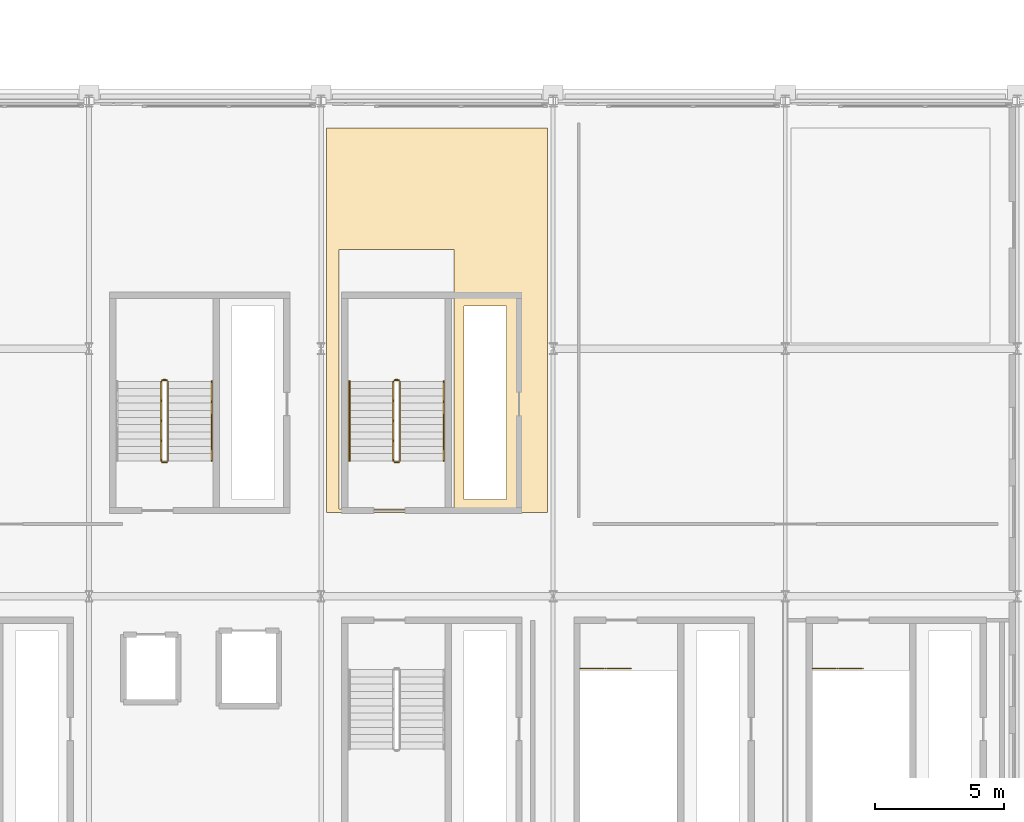
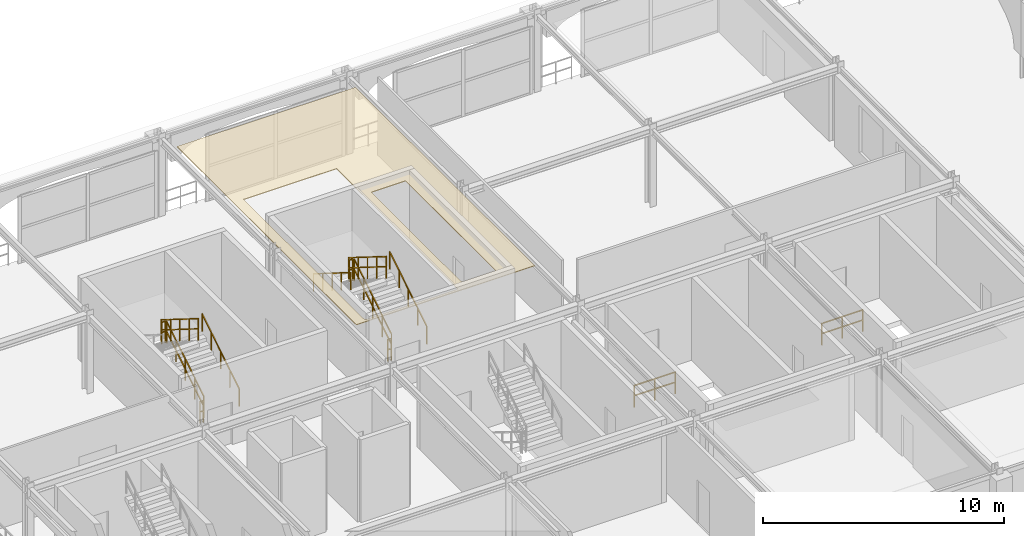
# One storey, part 76 of 81: 13 railings, 1 covering.
"""IFC4 building model written with IfcOpenShell, lengths in metres."""

from ifc_helpers import new_model, si_unit, direction, frame, origin, origin_2d, place, context, subcontext, project, spatial, polyline, rectangle, outline, extrude, material, layer, layer_set, type_object, element, save


model = new_model("IFC4")

# Units and contexts
model_context = context("Model", 3, precision=1e-05, world=origin(), true_north=direction((0.0, 1.0)))
body_context = subcontext(model_context, "Body", "Model", "MODEL_VIEW")
ifc_project = project(units=[si_unit("LENGTHUNIT", "METRE"), si_unit("AREAUNIT", "SQUARE_METRE"), si_unit("VOLUMEUNIT", "CUBIC_METRE"), si_unit("PLANEANGLEUNIT", "RADIAN"), si_unit("MASSUNIT", "GRAM", prefix="KILO")], contexts=[model_context])

# Site, building, storey
site_placement = place(None, origin())
site = spatial("IfcSite", under=ifc_project, at=site_placement, CompositionType="ELEMENT")
building_placement = place(site_placement, origin())
building = spatial("IfcBuilding", under=site, at=building_placement, Name="Myrtia Square Station", CompositionType="ELEMENT")
storey_placement = place(building_placement, frame((0.0, 0.0, 10.800048828125)))
storey = spatial("IfcBuildingStorey", under=building, at=storey_placement, Name="L02", CompositionType="ELEMENT", Elevation=10.800048828125)

# Covering
ifc_material_1 = material(Name="Gypsum plasterboard")
ifc_layer = layer(ifc_material_1, 0.034912109375, Name="Gypsum plasterboard")
ifc_layer_set = layer_set([ifc_layer], Name="Gypsum plasterboard")
covering_type = type_object("IfcCoveringType", Name="COV-CEIL-ACOUSTIC", PredefinedType="CEILING", material=ifc_layer_set)
covering_placement = place(storey_placement, frame((0.0, 0.0, 3.925048828125)))
element("IfcCovering", 1, at=covering_placement, inside=storey, type_object=covering_type, Name="Acoustic coffer ceiling L02-06", PredefinedType="CEILING", context=body_context, shape_type="SweptSolid", body=[
    extrude(outline(polyline([(143.780029296875, 37.35009765625), (143.780029296875, 28.85009765625), (143.781005859375, 28.828369140625), (143.7841796875, 28.80712890625), (143.785888671875, 28.800048828125), (143.7841796875, 28.79296875), (143.781005859375, 28.771484375), (143.780029296875, 28.75), (143.780029296875, 22.449951171875), (135.219970703125, 22.449951171875), (135.219970703125, 28.75), (135.218994140625, 28.771484375), (135.2158203125, 28.79296875), (135.214111328125, 28.800048828125), (135.2158203125, 28.80712890625), (135.218994140625, 28.828369140625), (135.219970703125, 28.85009765625), (135.219970703125, 37.35009765625), (143.780029296875, 37.35009765625)]), holes=[polyline([(142.199951171875, 22.949951171875), (142.199951171875, 30.449951171875), (140.550048828125, 30.449951171875), (140.550048828125, 22.949951171875), (142.199951171875, 22.949951171875)]), polyline([(135.699951171875, 32.64990234375), (135.699951171875, 22.580078125), (140.159912109375, 22.580078125), (140.159912109375, 32.64990234375), (135.699951171875, 32.64990234375)])]), origin(), (0.0, 0.0, 1.0), 0.034912109375),
])

# Railings
ifc_material_2 = material(Name="Dark bronze anodised aluminium", Category="aluminium")
railing_type_1 = type_object("IfcRailingType", Name="RL-HANDRAIL-900", PredefinedType="HANDRAIL", material=ifc_material_2)
railing_1_placement = place(storey_placement, frame((139.760009765625, 24.449951171875, 0.175048828125)))
element("IfcRailing", 2, at=railing_1_placement, inside=storey, type_object=railing_type_1, Name="L02 ST09 stair handrail 1", PredefinedType="HANDRAIL", context=body_context, shape_type="SweptSolid", body=[
    extrude(rectangle(XDim=0.048095703125, YDim=0.048095703125, at=origin_2d()), frame((0.0, 0.029296875, 0.894287109375), z_axis=(0.0, 0.848028513186, 0.529950602248), x_axis=(-1.0, 0.0, 0.0)), (0.0, 0.0, 1.0), 0.838623046875),
    extrude(rectangle(XDim=0.048095703125, YDim=0.048095703125, at=origin_2d()), frame((0.0, 0.79931640625, 1.37548828125), z_axis=(0.0, 0.848028513186, 0.529950602248), x_axis=(-1.0, 0.0, 0.0)), (0.0, 0.0, 1.0), 0.838623046875),
    extrude(rectangle(XDim=0.048095703125, YDim=0.048095703125, at=origin_2d()), frame((0.0, 1.5693359375, 1.856689453125), z_axis=(0.0, 0.848028513186, 0.529950602248), x_axis=(-1.0, 0.0, 0.0)), (0.0, 0.0, 1.0), 0.838623046875),
    extrude(rectangle(XDim=0.048095703125, YDim=0.048095703125, at=origin_2d()), frame((0.0, 2.33935546875, 2.337890625), z_axis=(0.0, 0.848028513186, 0.529950602248), x_axis=(-1.0, 0.0, 0.0)), (0.0, 0.0, 1.0), 0.838623046875),
    extrude(rectangle(XDim=0.0439453125, YDim=0.0439453125, at=origin_2d()), origin(), (0.0, 0.0, 1.0), 0.89990234375),
    extrude(rectangle(XDim=0.0439453125, YDim=0.0439453125, at=origin_2d()), frame((0.0, 0.77001953125, 0.481201171875)), (0.0, 0.0, 1.0), 0.89990234375),
    extrude(rectangle(XDim=0.0439453125, YDim=0.0439453125, at=origin_2d()), frame((0.0, 1.5400390625, 0.96240234375)), (0.0, 0.0, 1.0), 0.89990234375),
    extrude(rectangle(XDim=0.0439453125, YDim=0.0439453125, at=origin_2d()), frame((0.0, 2.31005859375, 1.443603515625)), (0.0, 0.0, 1.0), 0.89990234375),
    extrude(rectangle(XDim=0.0439453125, YDim=0.0439453125, at=origin_2d()), frame((0.0, 3.080078125, 1.9248046875)), (0.0, 0.0, 1.0), 0.89990234375),
])
railing_2_placement = place(storey_placement, frame((136.10009765625, 27.530029296875, 2.27490234375)))
element("IfcRailing", 3, at=railing_2_placement, inside=storey, type_object=railing_type_1, Name="L02 ST09 stair handrail 2", PredefinedType="HANDRAIL", context=body_context, shape_type="SweptSolid", body=[
    extrude(rectangle(XDim=0.048095703125, YDim=0.048095703125, at=origin_2d()), frame((0.0, -0.029296875, 0.894287109375), z_axis=(0.0, -0.847998304005, 0.529998940003), x_axis=(1.0, 0.0, 0.0)), (0.0, 0.0, 1.0), 0.8388671875),
    extrude(rectangle(XDim=0.048095703125, YDim=0.048095703125, at=origin_2d()), frame((0.0, -0.79931640625, 1.37548828125), z_axis=(0.0, -0.847998304005, 0.529998940003), x_axis=(1.0, 0.0, 0.0)), (0.0, 0.0, 1.0), 0.8388671875),
    extrude(rectangle(XDim=0.048095703125, YDim=0.048095703125, at=origin_2d()), frame((0.0, -1.5693359375, 1.856689453125), z_axis=(0.0, -0.847998304005, 0.529998940003), x_axis=(1.0, 0.0, 0.0)), (0.0, 0.0, 1.0), 0.8388671875),
    extrude(rectangle(XDim=0.048095703125, YDim=0.048095703125, at=origin_2d()), frame((0.0, -2.33935546875, 2.337890625), z_axis=(0.0, -0.847998304005, 0.529998940003), x_axis=(1.0, 0.0, 0.0)), (0.0, 0.0, 1.0), 0.8388671875),
    extrude(rectangle(XDim=0.0439453125, YDim=0.0439453125, at=origin_2d()), origin(), (0.0, 0.0, 1.0), 0.89990234375),
    extrude(rectangle(XDim=0.0439453125, YDim=0.0439453125, at=origin_2d()), frame((0.0, -0.77001953125, 0.481201171875)), (0.0, 0.0, 1.0), 0.89990234375),
    extrude(rectangle(XDim=0.0439453125, YDim=0.0439453125, at=origin_2d()), frame((0.0, -1.5400390625, 0.96240234375)), (0.0, 0.0, 1.0), 0.89990234375),
    extrude(rectangle(XDim=0.0439453125, YDim=0.0439453125, at=origin_2d()), frame((0.0, -2.31005859375, 1.44384765625)), (0.0, 0.0, 1.0), 0.89990234375),
    extrude(rectangle(XDim=0.0439453125, YDim=0.0439453125, at=origin_2d()), frame((0.0, -3.080078125, 1.925048828125)), (0.0, 0.0, 1.0), 0.89990234375),
])
railing_3_placement = place(storey_placement, frame((130.760009765625, 24.449951171875, 0.175048828125)))
element("IfcRailing", 4, at=railing_3_placement, inside=storey, type_object=railing_type_1, Name="L02 ST10 stair handrail 1", PredefinedType="HANDRAIL", context=body_context, shape_type="SweptSolid", body=[
    extrude(rectangle(XDim=0.048095703125, YDim=0.048095703125, at=origin_2d()), frame((0.0, 0.029296875, 0.894287109375), z_axis=(0.0, 0.848028513186, 0.529950602248), x_axis=(-1.0, 0.0, 0.0)), (0.0, 0.0, 1.0), 0.838623046875),
    extrude(rectangle(XDim=0.048095703125, YDim=0.048095703125, at=origin_2d()), frame((0.0, 0.79931640625, 1.37548828125), z_axis=(0.0, 0.848028513186, 0.529950602248), x_axis=(-1.0, 0.0, 0.0)), (0.0, 0.0, 1.0), 0.838623046875),
    extrude(rectangle(XDim=0.048095703125, YDim=0.048095703125, at=origin_2d()), frame((0.0, 1.5693359375, 1.856689453125), z_axis=(0.0, 0.848028513186, 0.529950602248), x_axis=(-1.0, 0.0, 0.0)), (0.0, 0.0, 1.0), 0.838623046875),
    extrude(rectangle(XDim=0.048095703125, YDim=0.048095703125, at=origin_2d()), frame((0.0, 2.33935546875, 2.337890625), z_axis=(0.0, 0.848028513186, 0.529950602248), x_axis=(-1.0, 0.0, 0.0)), (0.0, 0.0, 1.0), 0.838623046875),
    extrude(rectangle(XDim=0.0439453125, YDim=0.0439453125, at=origin_2d()), origin(), (0.0, 0.0, 1.0), 0.89990234375),
    extrude(rectangle(XDim=0.0439453125, YDim=0.0439453125, at=origin_2d()), frame((0.0, 0.77001953125, 0.481201171875)), (0.0, 0.0, 1.0), 0.89990234375),
    extrude(rectangle(XDim=0.0439453125, YDim=0.0439453125, at=origin_2d()), frame((0.0, 1.5400390625, 0.96240234375)), (0.0, 0.0, 1.0), 0.89990234375),
    extrude(rectangle(XDim=0.0439453125, YDim=0.0439453125, at=origin_2d()), frame((0.0, 2.31005859375, 1.443603515625)), (0.0, 0.0, 1.0), 0.89990234375),
    extrude(rectangle(XDim=0.0439453125, YDim=0.0439453125, at=origin_2d()), frame((0.0, 3.080078125, 1.9248046875)), (0.0, 0.0, 1.0), 0.89990234375),
])
ifc_material_3 = material(Name="Wrought iron", Category="steel")
railing_type_2 = type_object("IfcRailingType", Name="RL-INT-GUARD-1100", PredefinedType="BALUSTRADE", material=ifc_material_3)
railing_4_placement = place(storey_placement, frame((138.06005859375, 24.449951171875, 0.175048828125)))
element("IfcRailing", 5, at=railing_4_placement, inside=storey, type_object=railing_type_2, Name="L02 ST09 stair guard 1", PredefinedType="BALUSTRADE", context=body_context, shape_type="SweptSolid", body=[
    extrude(rectangle(XDim=0.048095703125, YDim=0.048095703125, at=origin_2d()), frame((0.0, 0.029296875, 1.114501953125), z_axis=(0.0, 0.848028513186, 0.529950602248), x_axis=(-1.0, 0.0, 0.0)), (0.0, 0.0, 1.0), 0.838623046875),
    extrude(rectangle(XDim=0.048095703125, YDim=0.048095703125, at=origin_2d()), frame((0.0, 0.029296875, 0.600830078125), z_axis=(0.0, 0.848028513186, 0.529950602248), x_axis=(-1.0, 0.0, 0.0)), (0.0, 0.0, 1.0), 0.838623046875),
    extrude(rectangle(XDim=0.048095703125, YDim=0.048095703125, at=origin_2d()), frame((0.0, 0.79931640625, 1.595703125), z_axis=(0.0, 0.848028513186, 0.529950602248), x_axis=(-1.0, 0.0, 0.0)), (0.0, 0.0, 1.0), 0.838623046875),
    extrude(rectangle(XDim=0.048095703125, YDim=0.048095703125, at=origin_2d()), frame((0.0, 0.79931640625, 1.08203125), z_axis=(0.0, 0.848028513186, 0.529950602248), x_axis=(-1.0, 0.0, 0.0)), (0.0, 0.0, 1.0), 0.838623046875),
    extrude(rectangle(XDim=0.048095703125, YDim=0.048095703125, at=origin_2d()), frame((0.0, 1.5693359375, 2.076904296875), z_axis=(0.0, 0.848028513186, 0.529950602248), x_axis=(-1.0, 0.0, 0.0)), (0.0, 0.0, 1.0), 0.838623046875),
    extrude(rectangle(XDim=0.048095703125, YDim=0.048095703125, at=origin_2d()), frame((0.0, 1.5693359375, 1.563232421875), z_axis=(0.0, 0.848028513186, 0.529950602248), x_axis=(-1.0, 0.0, 0.0)), (0.0, 0.0, 1.0), 0.838623046875),
    extrude(rectangle(XDim=0.048095703125, YDim=0.048095703125, at=origin_2d()), frame((0.0, 2.33935546875, 2.55810546875), z_axis=(0.0, 0.848028513186, 0.529950602248), x_axis=(-1.0, 0.0, 0.0)), (0.0, 0.0, 1.0), 0.838623046875),
    extrude(rectangle(XDim=0.048095703125, YDim=0.048095703125, at=origin_2d()), frame((0.0, 2.33935546875, 2.04443359375), z_axis=(0.0, 0.848028513186, 0.529950602248), x_axis=(-1.0, 0.0, 0.0)), (0.0, 0.0, 1.0), 0.838623046875),
    extrude(rectangle(XDim=0.0439453125, YDim=0.0439453125, at=origin_2d()), origin(), (0.0, 0.0, 1.0), 1.1201171875),
    extrude(rectangle(XDim=0.0439453125, YDim=0.0439453125, at=origin_2d()), frame((0.0, 0.77001953125, 0.481201171875)), (0.0, 0.0, 1.0), 1.1201171875),
    extrude(rectangle(XDim=0.0439453125, YDim=0.0439453125, at=origin_2d()), frame((0.0, 1.5400390625, 0.96240234375)), (0.0, 0.0, 1.0), 1.1201171875),
    extrude(rectangle(XDim=0.0439453125, YDim=0.0439453125, at=origin_2d()), frame((0.0, 2.31005859375, 1.443603515625)), (0.0, 0.0, 1.0), 1.1201171875),
    extrude(rectangle(XDim=0.0439453125, YDim=0.0439453125, at=origin_2d()), frame((0.0, 3.080078125, 1.9248046875)), (0.0, 0.0, 1.0), 1.1201171875),
])
railing_5_placement = place(storey_placement, frame((138.010009765625, 27.580078125, 2.099853515625)))
element("IfcRailing", 6, at=railing_5_placement, inside=storey, type_object=railing_type_2, Name="L02 ST09 stair guard 2", PredefinedType="BALUSTRADE", context=body_context, shape_type="SweptSolid", body=[
    extrude(rectangle(XDim=0.048095703125, YDim=0.048095703125, at=origin_2d()), frame((-0.03466796875, 0.0, 1.09619140625), z_axis=(-1.0, 0.0, 0.0), x_axis=(0.0, -1.0, 0.0)), (0.0, 0.0, 1.0), 0.090576171875),
    extrude(rectangle(XDim=0.048095703125, YDim=0.048095703125, at=origin_2d()), frame((-0.03466796875, 0.0, 0.58251953125), z_axis=(-1.0, 0.0, 0.0), x_axis=(0.0, -1.0, 0.0)), (0.0, 0.0, 1.0), 0.090576171875),
    extrude(rectangle(XDim=0.0439453125, YDim=0.0439453125, at=origin_2d()), origin(), (0.0, 0.0, 1.0), 1.1201171875),
    extrude(rectangle(XDim=0.0439453125, YDim=0.0439453125, at=origin_2d()), frame((-0.159912109375, 0.0, 0.0)), (0.0, 0.0, 1.0), 1.1201171875),
])
railing_6_placement = place(storey_placement, frame((137.800048828125, 27.530029296875, 2.27490234375)))
element("IfcRailing", 7, at=railing_6_placement, inside=storey, type_object=railing_type_2, Name="L02 ST09 stair guard 3", PredefinedType="BALUSTRADE", context=body_context, shape_type="SweptSolid", body=[
    extrude(rectangle(XDim=0.048095703125, YDim=0.048095703125, at=origin_2d()), frame((0.0, -0.029296875, 1.114501953125), z_axis=(0.0, -0.847998304005, 0.529998940003), x_axis=(1.0, 0.0, 0.0)), (0.0, 0.0, 1.0), 0.8388671875),
    extrude(rectangle(XDim=0.048095703125, YDim=0.048095703125, at=origin_2d()), frame((0.0, -0.029296875, 0.600830078125), z_axis=(0.0, -0.847998304005, 0.529998940003), x_axis=(1.0, 0.0, 0.0)), (0.0, 0.0, 1.0), 0.8388671875),
    extrude(rectangle(XDim=0.048095703125, YDim=0.048095703125, at=origin_2d()), frame((0.0, -0.79931640625, 1.595703125), z_axis=(0.0, -0.847998304005, 0.529998940003), x_axis=(1.0, 0.0, 0.0)), (0.0, 0.0, 1.0), 0.8388671875),
    extrude(rectangle(XDim=0.048095703125, YDim=0.048095703125, at=origin_2d()), frame((0.0, -0.79931640625, 1.08203125), z_axis=(0.0, -0.847998304005, 0.529998940003), x_axis=(1.0, 0.0, 0.0)), (0.0, 0.0, 1.0), 0.8388671875),
    extrude(rectangle(XDim=0.048095703125, YDim=0.048095703125, at=origin_2d()), frame((0.0, -1.5693359375, 2.076904296875), z_axis=(0.0, -0.847998304005, 0.529998940003), x_axis=(1.0, 0.0, 0.0)), (0.0, 0.0, 1.0), 0.8388671875),
    extrude(rectangle(XDim=0.048095703125, YDim=0.048095703125, at=origin_2d()), frame((0.0, -1.5693359375, 1.563232421875), z_axis=(0.0, -0.847998304005, 0.529998940003), x_axis=(1.0, 0.0, 0.0)), (0.0, 0.0, 1.0), 0.8388671875),
    extrude(rectangle(XDim=0.048095703125, YDim=0.048095703125, at=origin_2d()), frame((0.0, -2.33935546875, 2.55810546875), z_axis=(0.0, -0.847998304005, 0.529998940003), x_axis=(1.0, 0.0, 0.0)), (0.0, 0.0, 1.0), 0.8388671875),
    extrude(rectangle(XDim=0.048095703125, YDim=0.048095703125, at=origin_2d()), frame((0.0, -2.33935546875, 2.044677734375), z_axis=(0.0, -0.847998304005, 0.529998940003), x_axis=(1.0, 0.0, 0.0)), (0.0, 0.0, 1.0), 0.8388671875),
    extrude(rectangle(XDim=0.0439453125, YDim=0.0439453125, at=origin_2d()), origin(), (0.0, 0.0, 1.0), 1.1201171875),
    extrude(rectangle(XDim=0.0439453125, YDim=0.0439453125, at=origin_2d()), frame((0.0, -0.77001953125, 0.481201171875)), (0.0, 0.0, 1.0), 1.1201171875),
    extrude(rectangle(XDim=0.0439453125, YDim=0.0439453125, at=origin_2d()), frame((0.0, -1.5400390625, 0.96240234375)), (0.0, 0.0, 1.0), 1.1201171875),
    extrude(rectangle(XDim=0.0439453125, YDim=0.0439453125, at=origin_2d()), frame((0.0, -2.31005859375, 1.44384765625)), (0.0, 0.0, 1.0), 1.1201171875),
    extrude(rectangle(XDim=0.0439453125, YDim=0.0439453125, at=origin_2d()), frame((0.0, -3.080078125, 1.925048828125)), (0.0, 0.0, 1.0), 1.1201171875),
])
railing_7_placement = place(storey_placement, frame((138.010009765625, 24.39990234375, 0.0)))
element("IfcRailing", 8, at=railing_7_placement, inside=storey, type_object=railing_type_2, Name="L02 ST09 stair guard 4", PredefinedType="BALUSTRADE", context=body_context, shape_type="SweptSolid", body=[
    extrude(rectangle(XDim=0.048095703125, YDim=0.048095703125, at=origin_2d()), frame((-0.03466796875, 0.0, 1.09619140625), z_axis=(-1.0, 0.0, 0.0), x_axis=(0.0, -1.0, 0.0)), (0.0, 0.0, 1.0), 0.090576171875),
    extrude(rectangle(XDim=0.048095703125, YDim=0.048095703125, at=origin_2d()), frame((-0.03466796875, 0.0, 0.58251953125), z_axis=(-1.0, 0.0, 0.0), x_axis=(0.0, -1.0, 0.0)), (0.0, 0.0, 1.0), 0.090576171875),
    extrude(rectangle(XDim=0.0439453125, YDim=0.0439453125, at=origin_2d()), origin(), (0.0, 0.0, 1.0), 1.1201171875),
    extrude(rectangle(XDim=0.0439453125, YDim=0.0439453125, at=origin_2d()), frame((-0.159912109375, 0.0, 0.0)), (0.0, 0.0, 1.0), 1.1201171875),
])
railing_8_placement = place(storey_placement, frame((129.06005859375, 24.449951171875, 0.175048828125)))
element("IfcRailing", 9, at=railing_8_placement, inside=storey, type_object=railing_type_2, Name="L02 ST10 stair guard 1", PredefinedType="BALUSTRADE", context=body_context, shape_type="SweptSolid", body=[
    extrude(rectangle(XDim=0.048095703125, YDim=0.048095703125, at=origin_2d()), frame((0.0, 0.029296875, 1.114501953125), z_axis=(0.0, 0.848028513186, 0.529950602248), x_axis=(-1.0, 0.0, 0.0)), (0.0, 0.0, 1.0), 0.838623046875),
    extrude(rectangle(XDim=0.048095703125, YDim=0.048095703125, at=origin_2d()), frame((0.0, 0.029296875, 0.600830078125), z_axis=(0.0, 0.848028513186, 0.529950602248), x_axis=(-1.0, 0.0, 0.0)), (0.0, 0.0, 1.0), 0.838623046875),
    extrude(rectangle(XDim=0.048095703125, YDim=0.048095703125, at=origin_2d()), frame((0.0, 0.79931640625, 1.595703125), z_axis=(0.0, 0.848028513186, 0.529950602248), x_axis=(-1.0, 0.0, 0.0)), (0.0, 0.0, 1.0), 0.838623046875),
    extrude(rectangle(XDim=0.048095703125, YDim=0.048095703125, at=origin_2d()), frame((0.0, 0.79931640625, 1.08203125), z_axis=(0.0, 0.848028513186, 0.529950602248), x_axis=(-1.0, 0.0, 0.0)), (0.0, 0.0, 1.0), 0.838623046875),
    extrude(rectangle(XDim=0.048095703125, YDim=0.048095703125, at=origin_2d()), frame((0.0, 1.5693359375, 2.076904296875), z_axis=(0.0, 0.848028513186, 0.529950602248), x_axis=(-1.0, 0.0, 0.0)), (0.0, 0.0, 1.0), 0.838623046875),
    extrude(rectangle(XDim=0.048095703125, YDim=0.048095703125, at=origin_2d()), frame((0.0, 1.5693359375, 1.563232421875), z_axis=(0.0, 0.848028513186, 0.529950602248), x_axis=(-1.0, 0.0, 0.0)), (0.0, 0.0, 1.0), 0.838623046875),
    extrude(rectangle(XDim=0.048095703125, YDim=0.048095703125, at=origin_2d()), frame((0.0, 2.33935546875, 2.55810546875), z_axis=(0.0, 0.848028513186, 0.529950602248), x_axis=(-1.0, 0.0, 0.0)), (0.0, 0.0, 1.0), 0.838623046875),
    extrude(rectangle(XDim=0.048095703125, YDim=0.048095703125, at=origin_2d()), frame((0.0, 2.33935546875, 2.04443359375), z_axis=(0.0, 0.848028513186, 0.529950602248), x_axis=(-1.0, 0.0, 0.0)), (0.0, 0.0, 1.0), 0.838623046875),
    extrude(rectangle(XDim=0.0439453125, YDim=0.0439453125, at=origin_2d()), origin(), (0.0, 0.0, 1.0), 1.1201171875),
    extrude(rectangle(XDim=0.0439453125, YDim=0.0439453125, at=origin_2d()), frame((0.0, 0.77001953125, 0.481201171875)), (0.0, 0.0, 1.0), 1.1201171875),
    extrude(rectangle(XDim=0.0439453125, YDim=0.0439453125, at=origin_2d()), frame((0.0, 1.5400390625, 0.96240234375)), (0.0, 0.0, 1.0), 1.1201171875),
    extrude(rectangle(XDim=0.0439453125, YDim=0.0439453125, at=origin_2d()), frame((0.0, 2.31005859375, 1.443603515625)), (0.0, 0.0, 1.0), 1.1201171875),
    extrude(rectangle(XDim=0.0439453125, YDim=0.0439453125, at=origin_2d()), frame((0.0, 3.080078125, 1.9248046875)), (0.0, 0.0, 1.0), 1.1201171875),
])
railing_9_placement = place(storey_placement, frame((129.010009765625, 27.580078125, 2.099853515625)))
element("IfcRailing", 10, at=railing_9_placement, inside=storey, type_object=railing_type_2, Name="L02 ST10 stair guard 2", PredefinedType="BALUSTRADE", context=body_context, shape_type="SweptSolid", body=[
    extrude(rectangle(XDim=0.048095703125, YDim=0.048095703125, at=origin_2d()), frame((-0.03466796875, 0.0, 1.09619140625), z_axis=(-1.0, 0.0, 0.0), x_axis=(0.0, -1.0, 0.0)), (0.0, 0.0, 1.0), 0.090576171875),
    extrude(rectangle(XDim=0.048095703125, YDim=0.048095703125, at=origin_2d()), frame((-0.03466796875, 0.0, 0.58251953125), z_axis=(-1.0, 0.0, 0.0), x_axis=(0.0, -1.0, 0.0)), (0.0, 0.0, 1.0), 0.090576171875),
    extrude(rectangle(XDim=0.0439453125, YDim=0.0439453125, at=origin_2d()), origin(), (0.0, 0.0, 1.0), 1.1201171875),
    extrude(rectangle(XDim=0.0439453125, YDim=0.0439453125, at=origin_2d()), frame((-0.159912109375, 0.0, 0.0)), (0.0, 0.0, 1.0), 1.1201171875),
])
railing_10_placement = place(storey_placement, frame((128.800048828125, 27.530029296875, 2.27490234375)))
element("IfcRailing", 11, at=railing_10_placement, inside=storey, type_object=railing_type_2, Name="L02 ST10 stair guard 3", PredefinedType="BALUSTRADE", context=body_context, shape_type="SweptSolid", body=[
    extrude(rectangle(XDim=0.048095703125, YDim=0.048095703125, at=origin_2d()), frame((0.0, -0.029296875, 1.114501953125), z_axis=(0.0, -0.847998304005, 0.529998940003), x_axis=(1.0, 0.0, 0.0)), (0.0, 0.0, 1.0), 0.8388671875),
    extrude(rectangle(XDim=0.048095703125, YDim=0.048095703125, at=origin_2d()), frame((0.0, -0.029296875, 0.600830078125), z_axis=(0.0, -0.847998304005, 0.529998940003), x_axis=(1.0, 0.0, 0.0)), (0.0, 0.0, 1.0), 0.8388671875),
    extrude(rectangle(XDim=0.048095703125, YDim=0.048095703125, at=origin_2d()), frame((0.0, -0.79931640625, 1.595703125), z_axis=(0.0, -0.847998304005, 0.529998940003), x_axis=(1.0, 0.0, 0.0)), (0.0, 0.0, 1.0), 0.8388671875),
    extrude(rectangle(XDim=0.048095703125, YDim=0.048095703125, at=origin_2d()), frame((0.0, -0.79931640625, 1.08203125), z_axis=(0.0, -0.847998304005, 0.529998940003), x_axis=(1.0, 0.0, 0.0)), (0.0, 0.0, 1.0), 0.8388671875),
    extrude(rectangle(XDim=0.048095703125, YDim=0.048095703125, at=origin_2d()), frame((0.0, -1.5693359375, 2.076904296875), z_axis=(0.0, -0.847998304005, 0.529998940003), x_axis=(1.0, 0.0, 0.0)), (0.0, 0.0, 1.0), 0.8388671875),
    extrude(rectangle(XDim=0.048095703125, YDim=0.048095703125, at=origin_2d()), frame((0.0, -1.5693359375, 1.563232421875), z_axis=(0.0, -0.847998304005, 0.529998940003), x_axis=(1.0, 0.0, 0.0)), (0.0, 0.0, 1.0), 0.8388671875),
    extrude(rectangle(XDim=0.048095703125, YDim=0.048095703125, at=origin_2d()), frame((0.0, -2.33935546875, 2.55810546875), z_axis=(0.0, -0.847998304005, 0.529998940003), x_axis=(1.0, 0.0, 0.0)), (0.0, 0.0, 1.0), 0.8388671875),
    extrude(rectangle(XDim=0.048095703125, YDim=0.048095703125, at=origin_2d()), frame((0.0, -2.33935546875, 2.044677734375), z_axis=(0.0, -0.847998304005, 0.529998940003), x_axis=(1.0, 0.0, 0.0)), (0.0, 0.0, 1.0), 0.8388671875),
    extrude(rectangle(XDim=0.0439453125, YDim=0.0439453125, at=origin_2d()), origin(), (0.0, 0.0, 1.0), 1.1201171875),
    extrude(rectangle(XDim=0.0439453125, YDim=0.0439453125, at=origin_2d()), frame((0.0, -0.77001953125, 0.481201171875)), (0.0, 0.0, 1.0), 1.1201171875),
    extrude(rectangle(XDim=0.0439453125, YDim=0.0439453125, at=origin_2d()), frame((0.0, -1.5400390625, 0.96240234375)), (0.0, 0.0, 1.0), 1.1201171875),
    extrude(rectangle(XDim=0.0439453125, YDim=0.0439453125, at=origin_2d()), frame((0.0, -2.31005859375, 1.44384765625)), (0.0, 0.0, 1.0), 1.1201171875),
    extrude(rectangle(XDim=0.0439453125, YDim=0.0439453125, at=origin_2d()), frame((0.0, -3.080078125, 1.925048828125)), (0.0, 0.0, 1.0), 1.1201171875),
])
railing_11_placement = place(storey_placement, frame((129.010009765625, 24.39990234375, 0.0)))
element("IfcRailing", 12, at=railing_11_placement, inside=storey, type_object=railing_type_2, Name="L02 ST10 stair guard 4", PredefinedType="BALUSTRADE", context=body_context, shape_type="SweptSolid", body=[
    extrude(rectangle(XDim=0.048095703125, YDim=0.048095703125, at=origin_2d()), frame((-0.03466796875, 0.0, 1.09619140625), z_axis=(-1.0, 0.0, 0.0), x_axis=(0.0, -1.0, 0.0)), (0.0, 0.0, 1.0), 0.090576171875),
    extrude(rectangle(XDim=0.048095703125, YDim=0.048095703125, at=origin_2d()), frame((-0.03466796875, 0.0, 0.58251953125), z_axis=(-1.0, 0.0, 0.0), x_axis=(0.0, -1.0, 0.0)), (0.0, 0.0, 1.0), 0.090576171875),
    extrude(rectangle(XDim=0.0439453125, YDim=0.0439453125, at=origin_2d()), origin(), (0.0, 0.0, 1.0), 1.1201171875),
    extrude(rectangle(XDim=0.0439453125, YDim=0.0439453125, at=origin_2d()), frame((-0.159912109375, 0.0, 0.0)), (0.0, 0.0, 1.0), 1.1201171875),
])
for number, where, name in (
    (13, (145.050048828125, 16.39990234375, 0.0), "L02 ST11 top well guard 1"),
    (14, (154.050048828125, 16.39990234375, 0.0), "L02 ST14 top well guard 1"),
):
    element("IfcRailing", number, at=place(storey_placement, frame(where)), inside=storey, type_object=railing_type_2, Name=name, PredefinedType="BALUSTRADE", context=body_context, shape_type="SweptSolid", body=[
        extrude(rectangle(XDim=0.048095703125, YDim=0.048095703125, at=origin_2d()), frame((0.03466796875, 0.0, 1.09619140625), z_axis=(1.0, 0.0, 0.0), x_axis=(0.0, 1.0, 0.0)), (0.0, 0.0, 1.0), 0.91064453125),
        extrude(rectangle(XDim=0.048095703125, YDim=0.048095703125, at=origin_2d()), frame((0.03466796875, 0.0, 0.58251953125), z_axis=(1.0, 0.0, 0.0), x_axis=(0.0, 1.0, 0.0)), (0.0, 0.0, 1.0), 0.91064453125),
        extrude(rectangle(XDim=0.048095703125, YDim=0.048095703125, at=origin_2d()), frame((1.0146484375, 0.0, 1.09619140625), z_axis=(1.0, 0.0, 0.0), x_axis=(0.0, 1.0, 0.0)), (0.0, 0.0, 1.0), 0.91064453125),
        extrude(rectangle(XDim=0.048095703125, YDim=0.048095703125, at=origin_2d()), frame((1.0146484375, 0.0, 0.58251953125), z_axis=(1.0, 0.0, 0.0), x_axis=(0.0, 1.0, 0.0)), (0.0, 0.0, 1.0), 0.91064453125),
        extrude(rectangle(XDim=0.0439453125, YDim=0.0439453125, at=origin_2d()), origin(), (0.0, 0.0, 1.0), 1.1201171875),
        extrude(rectangle(XDim=0.0439453125, YDim=0.0439453125, at=origin_2d()), frame((0.97998046875, 0.0, 0.0)), (0.0, 0.0, 1.0), 1.1201171875),
        extrude(rectangle(XDim=0.0439453125, YDim=0.0439453125, at=origin_2d()), frame((1.9599609375, 0.0, 0.0)), (0.0, 0.0, 1.0), 1.1201171875),
    ])

save(model, "model.ifc")
